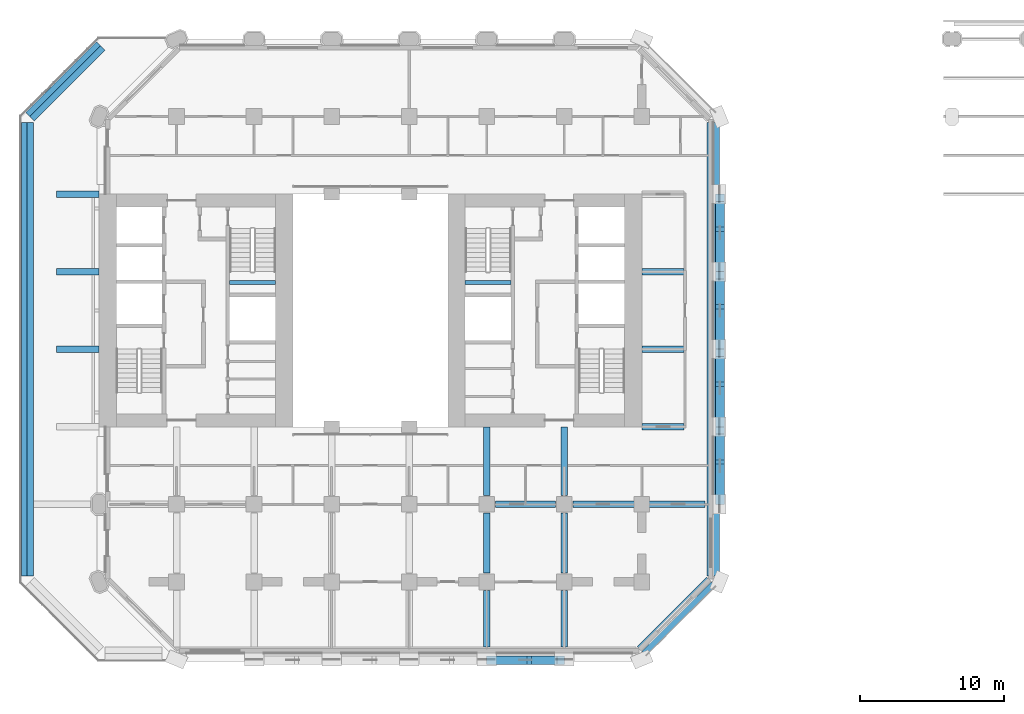
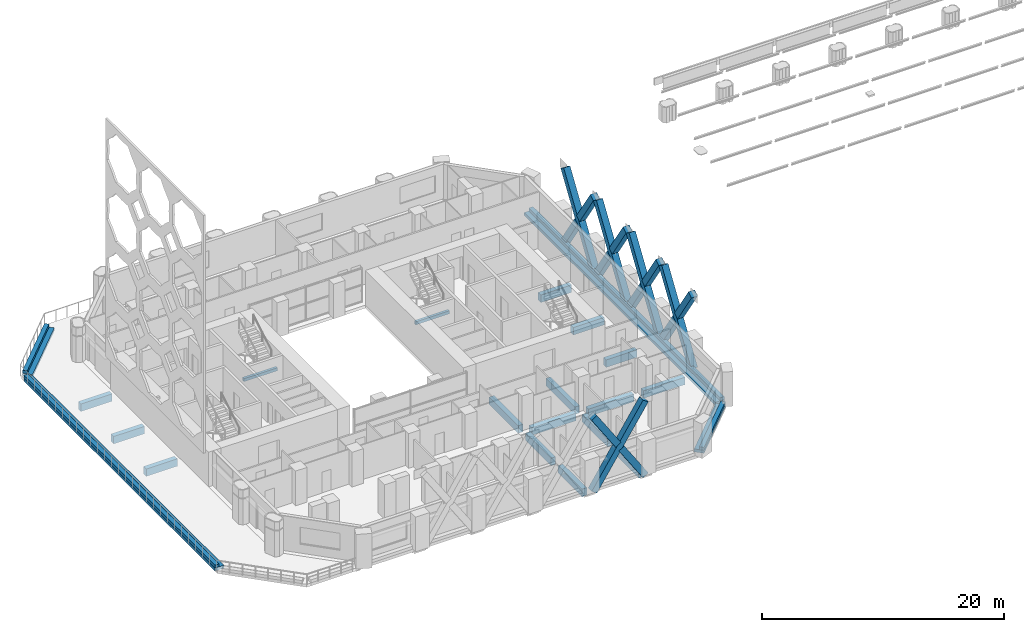
# One storey, part 3 of 14: 25 beams, 15 members.
"""IFC4 building model written with IfcOpenShell, lengths in metres."""

from ifc_helpers import new_model, si_unit, direction, frame, origin, origin_2d, place, context, subcontext, project, spatial, rectangle, extrude, material, material_profile, profile_set, type_object, element, save


model = new_model("IFC4")

# Units and contexts
model_context = context("Model", 3, precision=1e-05, world=origin(), true_north=direction((0.0, 1.0)))
body_context = subcontext(model_context, "Body", "Model", "MODEL_VIEW")
ifc_project = project(units=[si_unit("LENGTHUNIT", "METRE"), si_unit("AREAUNIT", "SQUARE_METRE"), si_unit("VOLUMEUNIT", "CUBIC_METRE"), si_unit("PLANEANGLEUNIT", "RADIAN"), si_unit("MASSUNIT", "GRAM", prefix="KILO")], contexts=[model_context])

# Site, building, storey
site_placement = place(None, origin())
site = spatial("IfcSite", under=ifc_project, at=site_placement, CompositionType="ELEMENT")
building_placement = place(site_placement, origin())
building = spatial("IfcBuilding", under=site, at=building_placement, Name="Tabaq Tower and Sports Hall", CompositionType="ELEMENT")
storey_placement = place(building_placement, frame((0.0, 0.0, 33.60009765625)))
storey = spatial("IfcBuildingStorey", under=building, at=storey_placement, Name="L06", CompositionType="ELEMENT", Elevation=33.60009765625)

# Beams
ifc_material_1 = material(Name="Concrete C40/50", Category="concrete")
ifc_material_profile_1 = material_profile(ifc_material_1, rectangle(XDim=0.449951171875, YDim=0.75, at=origin_2d()), Name="CB 450x750")
ifc_profile_set_1 = profile_set([ifc_material_profile_1], Name="Concrete C40/50")
beam_type_1 = type_object("IfcBeamType", Name="PT CANTILEVER BEAM CB 450x750 C40/50", PredefinedType="BEAM", material=ifc_profile_set_1)
for number, where, z_axis, x_axis, name in (
    (1, (2.449951171875, 21.60009765625, -0.675048828125), (1.0, 0.0, 0.0), (0.0, 1.0, 0.0), "Cantilever Beam L06 W4 span 1"),
    (2, (2.449951171875, 27.0, -0.675048828125), (1.0, 0.0, 0.0), (0.0, 1.0, 0.0), "Cantilever Beam L06 W5 span 1"),
    (3, (2.449951171875, 32.39990234375, -0.675048828125), (1.0, 0.0, 0.0), (0.0, 1.0, 0.0), "Cantilever Beam L06 W6 span 1"),
):
    element("IfcBeam", number, at=place(storey_placement, frame(where, z_axis=z_axis, x_axis=x_axis)), inside=storey, type_object=beam_type_1, Name=name, PredefinedType="BEAM", context=body_context, shape_type="SweptSolid", body=[
        extrude(rectangle(XDim=0.449951171875, YDim=0.75, at=origin_2d()), origin(), (0.0, 0.0, 1.0), 2.949951171875),
    ])
beam_1_placement = place(storey_placement, frame((47.60009765625, 10.800048828125, -0.675048828125), z_axis=(-1.0, 0.0, 0.0), x_axis=(0.0, -1.0, 0.0)))
element("IfcBeam", 4, at=beam_1_placement, inside=storey, type_object=beam_type_1, Name="Cantilever Beam L06 E2 span 1", PredefinedType="BEAM", context=body_context, shape_type="SweptSolid", body=[
    extrude(rectangle(XDim=0.449951171875, YDim=0.75, at=origin_2d()), origin(), (0.0, 0.0, 1.0), 3.9501953125),
])
beam_2_placement = place(storey_placement, frame((42.75, 10.800048828125, -0.675048828125), z_axis=(-1.0, 0.0, 0.0), x_axis=(0.0, -1.0, 0.0)))
element("IfcBeam", 5, at=beam_2_placement, inside=storey, type_object=beam_type_1, Name="Cantilever Beam L06 E2 span 2", PredefinedType="BEAM", context=body_context, shape_type="SweptSolid", body=[
    extrude(rectangle(XDim=0.449951171875, YDim=0.75, at=origin_2d()), origin(), (0.0, 0.0, 1.0), 4.35009765625),
])
beam_3_placement = place(storey_placement, frame((37.199951171875, 10.800048828125, -0.675048828125), z_axis=(-1.0, 0.0, 0.0), x_axis=(0.0, -1.0, 0.0)))
element("IfcBeam", 6, at=beam_3_placement, inside=storey, type_object=beam_type_1, Name="Cantilever Beam L06 E2 span 3", PredefinedType="BEAM", context=body_context, shape_type="SweptSolid", body=[
    extrude(rectangle(XDim=0.449951171875, YDim=0.75, at=origin_2d()), origin(), (0.0, 0.0, 1.0), 4.199951171875),
])
for number, where, z_axis, x_axis, name in (
    (7, (46.14990234375, 16.199951171875, -0.675048828125), (-1.0, 0.0, 0.0), (0.0, -1.0, 0.0), "Cantilever Beam L06 E3 span 1"),
    (8, (46.14990234375, 21.60009765625, -0.675048828125), (-1.0, 0.0, 0.0), (0.0, -1.0, 0.0), "Cantilever Beam L06 E4 span 1"),
    (9, (46.14990234375, 27.0, -0.675048828125), (-1.0, 0.0, 0.0), (0.0, -1.0, 0.0), "Cantilever Beam L06 E5 span 1"),
):
    element("IfcBeam", number, at=place(storey_placement, frame(where, z_axis=z_axis, x_axis=x_axis)), inside=storey, type_object=beam_type_1, Name=name, PredefinedType="BEAM", context=body_context, shape_type="SweptSolid", body=[
        extrude(rectangle(XDim=0.449951171875, YDim=0.75, at=origin_2d()), origin(), (0.0, 0.0, 1.0), 2.949951171875),
    ])
beam_4_placement = place(storey_placement, frame((32.39990234375, 0.85009765625, -0.675048828125), z_axis=(0.0, 1.0, 0.0), x_axis=(-1.0, 0.0, 0.0)))
element("IfcBeam", 10, at=beam_4_placement, inside=storey, type_object=beam_type_1, Name="Cantilever Beam L06 S6 span 1", PredefinedType="BEAM", context=body_context, shape_type="SweptSolid", body=[
    extrude(rectangle(XDim=0.449951171875, YDim=0.75, at=origin_2d()), origin(), (0.0, 0.0, 1.0), 3.949951171875),
])
beam_5_placement = place(storey_placement, frame((32.39990234375, 6.0, -0.675048828125), z_axis=(0.0, 1.0, 0.0), x_axis=(-1.0, 0.0, 0.0)))
element("IfcBeam", 11, at=beam_5_placement, inside=storey, type_object=beam_type_1, Name="Cantilever Beam L06 S6 span 2", PredefinedType="BEAM", context=body_context, shape_type="SweptSolid", body=[
    extrude(rectangle(XDim=0.449951171875, YDim=0.75, at=origin_2d()), origin(), (0.0, 0.0, 1.0), 4.199951171875),
])
beam_6_placement = place(storey_placement, frame((32.39990234375, 11.39990234375, -0.675048828125), z_axis=(0.0, 1.0, 0.0), x_axis=(-1.0, 0.0, 0.0)))
element("IfcBeam", 12, at=beam_6_placement, inside=storey, type_object=beam_type_1, Name="Cantilever Beam L06 S6 span 3", PredefinedType="BEAM", context=body_context, shape_type="SweptSolid", body=[
    extrude(rectangle(XDim=0.449951171875, YDim=0.75, at=origin_2d()), origin(), (0.0, 0.0, 1.0), 4.800048828125),
])
beam_7_placement = place(storey_placement, frame((37.800048828125, 0.85009765625, -0.675048828125), z_axis=(0.0, 1.0, 0.0), x_axis=(-1.0, 0.0, 0.0)))
element("IfcBeam", 13, at=beam_7_placement, inside=storey, type_object=beam_type_1, Name="Cantilever Beam L06 S7 span 1", PredefinedType="BEAM", context=body_context, shape_type="SweptSolid", body=[
    extrude(rectangle(XDim=0.449951171875, YDim=0.75, at=origin_2d()), origin(), (0.0, 0.0, 1.0), 3.949951171875),
])
beam_8_placement = place(storey_placement, frame((37.800048828125, 6.0, -0.675048828125), z_axis=(0.0, 1.0, 0.0), x_axis=(-1.0, 0.0, 0.0)))
element("IfcBeam", 14, at=beam_8_placement, inside=storey, type_object=beam_type_1, Name="Cantilever Beam L06 S7 span 2", PredefinedType="BEAM", context=body_context, shape_type="SweptSolid", body=[
    extrude(rectangle(XDim=0.449951171875, YDim=0.75, at=origin_2d()), origin(), (0.0, 0.0, 1.0), 4.199951171875),
])
beam_9_placement = place(storey_placement, frame((37.800048828125, 11.39990234375, -0.675048828125), z_axis=(0.0, 1.0, 0.0), x_axis=(-1.0, 0.0, 0.0)))
element("IfcBeam", 15, at=beam_9_placement, inside=storey, type_object=beam_type_1, Name="Cantilever Beam L06 S7 span 3", PredefinedType="BEAM", context=body_context, shape_type="SweptSolid", body=[
    extrude(rectangle(XDim=0.449951171875, YDim=0.75, at=origin_2d()), origin(), (0.0, 0.0, 1.0), 4.800048828125),
])
ifc_material_2 = material(Name="Concrete C40/50", Category="concrete")
ifc_material_profile_2 = material_profile(ifc_material_2, rectangle(XDim=0.85009765625, YDim=0.300048828125, at=origin_2d()), Name="EB 850x300")
ifc_profile_set_2 = profile_set([ifc_material_profile_2], Name="Concrete C40/50")
beam_type_2 = type_object("IfcBeamType", Name="PT EDGE BEAM EB 850x300 C40/50", PredefinedType="SPANDREL", material=ifc_profile_set_2)
beam_10_placement = place(storey_placement, frame((43.183837890625, 0.584716796875, -0.150146484375), z_axis=(0.707088915255, 0.707124646667, 0.0), x_axis=(-0.707124646667, 0.707088915255, 0.0)))
element("IfcBeam", 16, at=beam_10_placement, inside=storey, type_object=beam_type_2, Name="Edge Beam L06 2", PredefinedType="SPANDREL", context=body_context, shape_type="SweptSolid", body=[
    extrude(rectangle(XDim=0.85009765625, YDim=0.300048828125, at=origin_2d()), origin(), (0.0, 0.0, 1.0), 6.832763671875),
])
beam_11_placement = place(storey_placement, frame((48.175048828125, 5.802001953125, -0.150146484375), z_axis=(0.0, 1.0, 0.0), x_axis=(-1.0, 0.0, 0.0)))
element("IfcBeam", 17, at=beam_11_placement, inside=storey, type_object=beam_type_2, Name="Edge Beam L06 3", PredefinedType="SPANDREL", context=body_context, shape_type="SweptSolid", body=[
    extrude(rectangle(XDim=0.85009765625, YDim=0.300048828125, at=origin_2d()), origin(), (0.0, 0.0, 1.0), 31.595947265625),
])
beam_12_placement = place(storey_placement, frame((5.523681640625, 42.72265625, -0.150146484375), z_axis=(-0.707106781187, -0.707106781187, 0.0), x_axis=(0.707106781187, -0.707106781187, 0.0)))
element("IfcBeam", 18, at=beam_12_placement, inside=storey, type_object=beam_type_2, Name="Edge Beam L06 7", PredefinedType="SPANDREL", context=body_context, shape_type="SweptSolid", body=[
    extrude(rectangle(XDim=0.85009765625, YDim=0.300048828125, at=origin_2d()), origin(), (0.0, 0.0, 1.0), 6.98486328125),
])
beam_13_placement = place(storey_placement, frame((0.425048828125, 37.39794921875, -0.150146484375), z_axis=(0.0, -1.0, 0.0), x_axis=(1.0, 0.0, 0.0)))
element("IfcBeam", 19, at=beam_13_placement, inside=storey, type_object=beam_type_2, Name="Edge Beam L06 8", PredefinedType="SPANDREL", context=body_context, shape_type="SweptSolid", body=[
    extrude(rectangle(XDim=0.85009765625, YDim=0.300048828125, at=origin_2d()), origin(), (0.0, 0.0, 1.0), 31.595947265625),
])
ifc_material_3 = material(Name="Concrete C40/50", Category="concrete")
ifc_material_profile_3 = material_profile(ifc_material_3, rectangle(XDim=0.39990234375, YDim=0.300048828125, at=origin_2d()), Name="EU 400x300")
ifc_profile_set_3 = profile_set([ifc_material_profile_3], Name="Concrete C40/50")
beam_type_3 = type_object("IfcBeamType", Name="PT EDGE UPSTAND EU 400x300 C40/50", PredefinedType="BEAM", material=ifc_profile_set_3)
beam_14_placement = place(storey_placement, frame((43.3427734375, 0.42578125, 0.14990234375), z_axis=(0.707124646667, 0.707088915255, 0.0), x_axis=(-0.707088915255, 0.707124646667, 0.0)))
element("IfcBeam", 20, at=beam_14_placement, inside=storey, type_object=beam_type_3, Name="Edge Upstand L06 2", PredefinedType="BEAM", context=body_context, shape_type="SweptSolid", body=[
    extrude(rectangle(XDim=0.39990234375, YDim=0.300048828125, at=origin_2d()), origin(), (0.0, 0.0, 1.0), 6.832763671875),
])
beam_15_placement = place(storey_placement, frame((48.39990234375, 5.802001953125, 0.14990234375), z_axis=(0.0, 1.0, 0.0), x_axis=(-1.0, 0.0, 0.0)))
element("IfcBeam", 21, at=beam_15_placement, inside=storey, type_object=beam_type_3, Name="Edge Upstand L06 3", PredefinedType="BEAM", context=body_context, shape_type="SweptSolid", body=[
    extrude(rectangle(XDim=0.39990234375, YDim=0.300048828125, at=origin_2d()), origin(), (0.0, 0.0, 1.0), 31.595947265625),
])
beam_16_placement = place(storey_placement, frame((5.36474609375, 42.8818359375, 0.14990234375), z_axis=(-0.707106781187, -0.707106781187, 0.0), x_axis=(0.707106781187, -0.707106781187, 0.0)))
element("IfcBeam", 22, at=beam_16_placement, inside=storey, type_object=beam_type_3, Name="Edge Upstand L06 7", PredefinedType="BEAM", context=body_context, shape_type="SweptSolid", body=[
    extrude(rectangle(XDim=0.39990234375, YDim=0.300048828125, at=origin_2d()), origin(), (0.0, 0.0, 1.0), 6.98486328125),
])
beam_17_placement = place(storey_placement, frame((0.199951171875, 37.39794921875, 0.14990234375), z_axis=(0.0, -1.0, 0.0), x_axis=(1.0, 0.0, 0.0)))
element("IfcBeam", 23, at=beam_17_placement, inside=storey, type_object=beam_type_3, Name="Edge Upstand L06 8", PredefinedType="BEAM", context=body_context, shape_type="SweptSolid", body=[
    extrude(rectangle(XDim=0.39990234375, YDim=0.300048828125, at=origin_2d()), origin(), (0.0, 0.0, 1.0), 31.595947265625),
])

# Members
ifc_material_4 = material(Name="Concrete C60/75", Category="concrete")
ifc_material_profile_4 = material_profile(ifc_material_4, rectangle(XDim=0.60009765625, YDim=0.60009765625, at=origin_2d()), Name="TRANSFER BAND BRACE 600x600")
ifc_profile_set_4 = profile_set([ifc_material_profile_4], Name="Concrete C60/75")
member_type = type_object("IfcMemberType", Name="RC TRANSFER BAND BRACE 600x600 C60/75", PredefinedType="BRACE", material=ifc_profile_set_4)
member_1_placement = place(storey_placement, frame((32.64990234375, -0.050048828125, -0.050048828125), z_axis=(0.546960043342, 0.0, 0.837158713141), x_axis=(0.0, 1.0, 0.0)))
element("IfcMember", 24, at=member_1_placement, inside=storey, type_object=member_type, Name="Transfer Band Brace L06 South 10", PredefinedType="BRACE", context=body_context, shape_type="SweptSolid", body=[
    extrude(rectangle(XDim=0.60009765625, YDim=0.60009765625, at=origin_2d()), origin(), (0.0, 0.0, 1.0), 8.958984375),
])
for number, where, z_axis, x_axis, name in (
    (25, (37.550048828125, -0.050048828125, -0.050048828125), (-0.546980074693, 0.0, 0.837145625258), (0.0, -1.0, 0.0), "Transfer Band Brace L06 South 11"),
    (26, (34.9482421875, -0.050048828125, 3.932373046875), (-0.546980074693, 0.0, 0.837145625258), (0.0, -1.0, 0.0), "Transfer Band Brace L06 South 12"),
):
    element("IfcMember", number, at=place(storey_placement, frame(where, z_axis=z_axis, x_axis=x_axis)), inside=storey, type_object=member_type, Name=name, PredefinedType="BRACE", context=body_context, shape_type="SweptSolid", body=[
        extrude(rectangle(XDim=0.60009765625, YDim=0.60009765625, at=origin_2d()), origin(), (0.0, 0.0, 1.0), 4.201904296875),
    ])
member_2_placement = place(storey_placement, frame((48.64990234375, 11.050048828125, -0.050048828125), z_axis=(0.0, 0.546940944285, 0.837171191253), x_axis=(-1.0, 0.0, 0.0)))
element("IfcMember", 27, at=member_2_placement, inside=storey, type_object=member_type, Name="Transfer Band Brace L06 East 13", PredefinedType="BRACE", context=body_context, shape_type="SweptSolid", body=[
    extrude(rectangle(XDim=0.60009765625, YDim=0.60009765625, at=origin_2d()), origin(), (0.0, 0.0, 1.0), 8.958740234375),
])
for number, where, z_axis, x_axis, name in (
    (28, (48.64990234375, 15.949951171875, -0.050048828125), (0.0, -0.546939353543, 0.837172230516), (1.0, 0.0, 0.0), "Transfer Band Brace L06 East 14"),
    (29, (48.64990234375, 13.34814453125, 3.932373046875), (0.0, -0.546939353543, 0.837172230516), (1.0, 0.0, 0.0), "Transfer Band Brace L06 East 15"),
):
    element("IfcMember", number, at=place(storey_placement, frame(where, z_axis=z_axis, x_axis=x_axis)), inside=storey, type_object=member_type, Name=name, PredefinedType="BRACE", context=body_context, shape_type="SweptSolid", body=[
        extrude(rectangle(XDim=0.60009765625, YDim=0.60009765625, at=origin_2d()), origin(), (0.0, 0.0, 1.0), 4.20166015625),
    ])
member_3_placement = place(storey_placement, frame((48.64990234375, 16.449951171875, -0.050048828125), z_axis=(0.0, 0.546960043342, 0.837158713141), x_axis=(-1.0, 0.0, 0.0)))
element("IfcMember", 30, at=member_3_placement, inside=storey, type_object=member_type, Name="Transfer Band Brace L06 East 16", PredefinedType="BRACE", context=body_context, shape_type="SweptSolid", body=[
    extrude(rectangle(XDim=0.60009765625, YDim=0.60009765625, at=origin_2d()), origin(), (0.0, 0.0, 1.0), 8.958984375),
])
for number, where, z_axis, x_axis, name in (
    (31, (48.64990234375, 21.35009765625, -0.050048828125), (0.0, -0.546980074693, 0.837145625258), (1.0, 0.0, 0.0), "Transfer Band Brace L06 East 17"),
    (32, (48.64990234375, 18.748291015625, 3.932373046875), (0.0, -0.546980074693, 0.837145625258), (1.0, 0.0, 0.0), "Transfer Band Brace L06 East 18"),
):
    element("IfcMember", number, at=place(storey_placement, frame(where, z_axis=z_axis, x_axis=x_axis)), inside=storey, type_object=member_type, Name=name, PredefinedType="BRACE", context=body_context, shape_type="SweptSolid", body=[
        extrude(rectangle(XDim=0.60009765625, YDim=0.60009765625, at=origin_2d()), origin(), (0.0, 0.0, 1.0), 4.201904296875),
    ])
member_4_placement = place(storey_placement, frame((48.64990234375, 21.85009765625, -0.050048828125), z_axis=(0.0, 0.546940944285, 0.837171191253), x_axis=(-1.0, 0.0, 0.0)))
element("IfcMember", 33, at=member_4_placement, inside=storey, type_object=member_type, Name="Transfer Band Brace L06 East 19", PredefinedType="BRACE", context=body_context, shape_type="SweptSolid", body=[
    extrude(rectangle(XDim=0.60009765625, YDim=0.60009765625, at=origin_2d()), origin(), (0.0, 0.0, 1.0), 8.958740234375),
])
for number, where, z_axis, x_axis, name in (
    (34, (48.64990234375, 26.75, -0.050048828125), (0.0, -0.546939353543, 0.837172230516), (1.0, 0.0, 0.0), "Transfer Band Brace L06 East 20"),
    (35, (48.64990234375, 24.148193359375, 3.932373046875), (0.0, -0.546939353543, 0.837172230516), (1.0, 0.0, 0.0), "Transfer Band Brace L06 East 21"),
):
    element("IfcMember", number, at=place(storey_placement, frame(where, z_axis=z_axis, x_axis=x_axis)), inside=storey, type_object=member_type, Name=name, PredefinedType="BRACE", context=body_context, shape_type="SweptSolid", body=[
        extrude(rectangle(XDim=0.60009765625, YDim=0.60009765625, at=origin_2d()), origin(), (0.0, 0.0, 1.0), 4.20166015625),
    ])
member_5_placement = place(storey_placement, frame((48.64990234375, 27.25, -0.050048828125), z_axis=(0.0, 0.546940944285, 0.837171191253), x_axis=(-1.0, 0.0, 0.0)))
element("IfcMember", 36, at=member_5_placement, inside=storey, type_object=member_type, Name="Transfer Band Brace L06 East 22", PredefinedType="BRACE", context=body_context, shape_type="SweptSolid", body=[
    extrude(rectangle(XDim=0.60009765625, YDim=0.60009765625, at=origin_2d()), origin(), (0.0, 0.0, 1.0), 8.958740234375),
])
for number, where, z_axis, x_axis, name in (
    (37, (48.64990234375, 32.14990234375, -0.050048828125), (0.0, -0.546939353543, 0.837172230516), (1.0, 0.0, 0.0), "Transfer Band Brace L06 East 23"),
    (38, (48.64990234375, 29.548095703125, 3.932373046875), (0.0, -0.546939353543, 0.837172230516), (1.0, 0.0, 0.0), "Transfer Band Brace L06 East 24"),
):
    element("IfcMember", number, at=place(storey_placement, frame(where, z_axis=z_axis, x_axis=x_axis)), inside=storey, type_object=member_type, Name=name, PredefinedType="BRACE", context=body_context, shape_type="SweptSolid", body=[
        extrude(rectangle(XDim=0.60009765625, YDim=0.60009765625, at=origin_2d()), origin(), (0.0, 0.0, 1.0), 4.20166015625),
    ])

# Beams
ifc_material_5 = material(Name="Concrete C40/50", Category="concrete")
ifc_material_profile_5 = material_profile(ifc_material_5, rectangle(XDim=0.25, YDim=0.300048828125, at=origin_2d()), Name="RC 250x300")
ifc_profile_set_5 = profile_set([ifc_material_profile_5], Name="Concrete C40/50")
beam_type_4 = type_object("IfcBeamType", Name="Stair landing beam 250x300", PredefinedType="BEAM", material=ifc_profile_set_5)
beam_18_placement = place(storey_placement, frame((14.5, 26.25, 1.5498046875), z_axis=(1.0, 0.0, 0.0), x_axis=(0.0, 1.0, 0.0)))
element("IfcBeam", 39, at=beam_18_placement, inside=storey, type_object=beam_type_4, Name="L06 ST2 landing beam 1", PredefinedType="BEAM", context=body_context, shape_type="SweptSolid", body=[
    extrude(rectangle(XDim=0.25, YDim=0.300048828125, at=origin_2d()), origin(), (0.0, 0.0, 1.0), 3.199951171875),
])
beam_19_placement = place(storey_placement, frame((30.89990234375, 26.25, 1.5498046875), z_axis=(1.0, 0.0, 0.0), x_axis=(0.0, 1.0, 0.0)))
element("IfcBeam", 40, at=beam_19_placement, inside=storey, type_object=beam_type_4, Name="L06 ST4 landing beam 1", PredefinedType="BEAM", context=body_context, shape_type="SweptSolid", body=[
    extrude(rectangle(XDim=0.25, YDim=0.300048828125, at=origin_2d()), origin(), (0.0, 0.0, 1.0), 3.2001953125),
])

save(model, "model.ifc")
